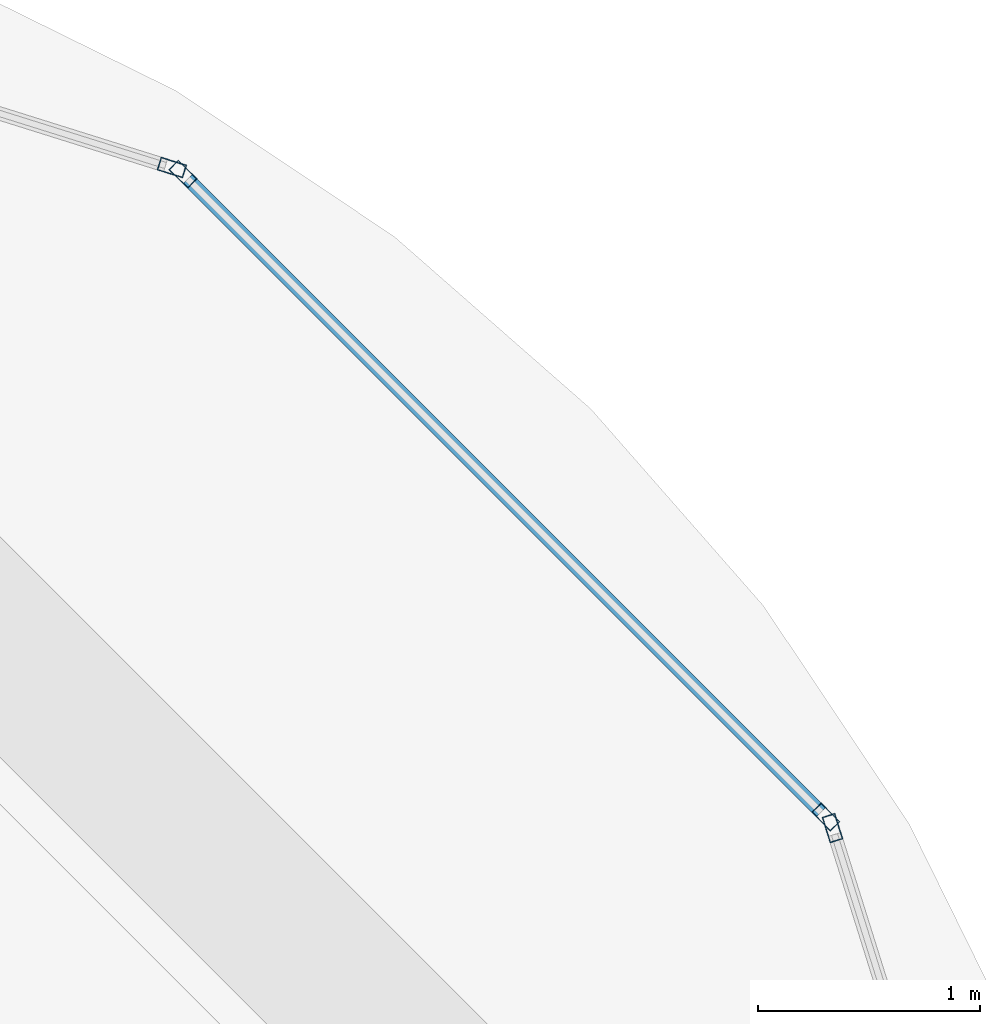
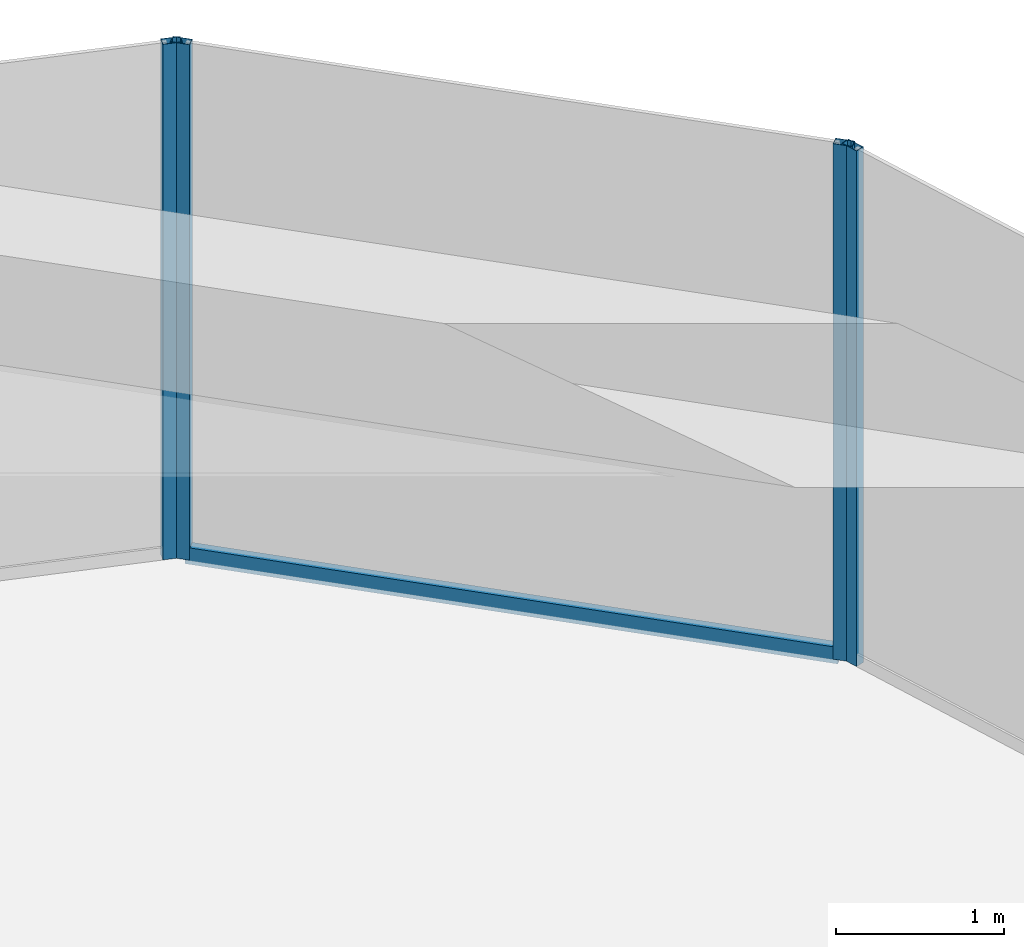
# One storey, part 39 of 44: 5 members, 3 elements without a shape of their own.
"""IFC4 building model written with IfcOpenShell, lengths in metres."""

from ifc_helpers import new_model, si_unit, direction, frame, origin, origin_2d, place, context, subcontext, project, spatial, hollow_rectangle, extrude, material, material_profile, profile_set, type_object, element, aggregate, save


model = new_model("IFC4")

# Units and contexts
model_context = context("Model", 3, precision=1e-05, world=origin(), true_north=direction((0.0, 1.0)))
body_context = subcontext(model_context, "Body", "Model", "MODEL_VIEW")
ifc_project = project(units=[si_unit("LENGTHUNIT", "METRE"), si_unit("AREAUNIT", "SQUARE_METRE"), si_unit("VOLUMEUNIT", "CUBIC_METRE"), si_unit("PLANEANGLEUNIT", "RADIAN"), si_unit("MASSUNIT", "GRAM", prefix="KILO")], contexts=[model_context])

# Site, building, storey
site_placement = place(None, origin())
site = spatial("IfcSite", under=ifc_project, at=site_placement, CompositionType="ELEMENT")
building_placement = place(site_placement, origin())
building = spatial("IfcBuilding", under=site, at=building_placement, Name="Zorevar Civic Tower", CompositionType="ELEMENT")
storey_placement = place(building_placement, frame((0.0, 0.0, 263.39990234375)))
storey = spatial("IfcBuildingStorey", under=building, at=storey_placement, Name="L64", CompositionType="ELEMENT", Elevation=263.39990234375)

# Curtain wall, member
ifc_material_1 = material(Name="Dark grey solar-control glass in black aluminium frame", Category="aluminium")
curtain_wall_type = type_object("IfcCurtainWallType", Name="Curtain wall CW5 top zone", PredefinedType="NOTDEFINED", material=ifc_material_1)
curtain_wall_1_placement = place(storey_placement, origin())
curtain_wall_1 = element("IfcCurtainWall", 1, at=curtain_wall_1_placement, inside=storey, type_object=curtain_wall_type, Name="CW5 L64", PredefinedType="NOTDEFINED")
ifc_material_2 = material(Name="Aluminium, black anodised", Category="aluminium")
ifc_material_profile_1 = material_profile(ifc_material_2, hollow_rectangle(XDim=0.06005859375, YDim=0.1201171875, WallThickness=0.0029296875, at=origin_2d()), Name="AL 120x60x3")
ifc_profile_set_1 = profile_set([ifc_material_profile_1], Name="Aluminium, black anodised")
member_type_1 = type_object("IfcMemberType", Name="CW5 mullion AL 120x60x3", PredefinedType="MULLION", material=ifc_profile_set_1)
member_1_placement = place(storey_placement, frame((52.449951171875, 40.479248046875, 0.0), z_axis=(0.0, 0.0, 1.0), x_axis=(-0.954153437674, -0.299317920238, 0.0)))
member_1 = element("IfcMember", 2, at=member_1_placement, type_object=member_type_1, Name="CW5 mullion 2", PredefinedType="MULLION", context=body_context, shape_type="SweptSolid", body=[
    extrude(hollow_rectangle(XDim=0.06005859375, YDim=0.1201171875, WallThickness=0.0029296875, at=origin_2d()), origin(), (0.0, 0.0, 1.0), 3.75),
])
aggregate(curtain_wall_1, [member_1])

# Curtain wall, members
curtain_wall_2_placement = place(storey_placement, origin())
curtain_wall_2 = element("IfcCurtainWall", 3, at=curtain_wall_2_placement, inside=storey, type_object=curtain_wall_type, Name="CW5 L64", PredefinedType="NOTDEFINED")
member_2_placement = place(storey_placement, frame((52.419677734375, 40.529052734375, 0.0), z_axis=(0.0, 0.0, 1.0), x_axis=(-0.707106781187, -0.707106781187, 0.0)))
member_2 = element("IfcMember", 4, at=member_2_placement, type_object=member_type_1, Name="CW5 mullion 1", PredefinedType="MULLION", context=body_context, shape_type="SweptSolid", body=[
    extrude(hollow_rectangle(XDim=0.06005859375, YDim=0.1201171875, WallThickness=0.0029296875, at=origin_2d()), origin(), (0.0, 0.0, 1.0), 3.75),
])
member_3_placement = place(storey_placement, frame((49.529052734375, 43.419677734375, 0.0), z_axis=(0.0, 0.0, 1.0), x_axis=(-0.707106781187, -0.707106781187, 0.0)))
member_3 = element("IfcMember", 5, at=member_3_placement, type_object=member_type_1, Name="CW5 mullion 2", PredefinedType="MULLION", context=body_context, shape_type="SweptSolid", body=[
    extrude(hollow_rectangle(XDim=0.06005859375, YDim=0.1201171875, WallThickness=0.0029296875, at=origin_2d()), origin(), (0.0, 0.0, 1.0), 3.75),
])

# Curtain wall, member
curtain_wall_3_placement = place(storey_placement, origin())
curtain_wall_3 = element("IfcCurtainWall", 6, at=curtain_wall_3_placement, inside=storey, type_object=curtain_wall_type, Name="CW5 L64", PredefinedType="NOTDEFINED")
member_4_placement = place(storey_placement, frame((49.479248046875, 43.449951171875, 0.0), z_axis=(0.0, 0.0, 1.0), x_axis=(-0.299317920238, -0.954153437674, 0.0)))
member_4 = element("IfcMember", 7, at=member_4_placement, type_object=member_type_1, Name="CW5 mullion 1", PredefinedType="MULLION", context=body_context, shape_type="SweptSolid", body=[
    extrude(hollow_rectangle(XDim=0.06005859375, YDim=0.1201171875, WallThickness=0.0029296875, at=origin_2d()), origin(), (0.0, 0.0, 1.0), 3.75),
])
aggregate(curtain_wall_3, [member_4])

# Member
ifc_material_3 = material(Name="Aluminium, black anodised", Category="aluminium")
ifc_material_profile_2 = material_profile(ifc_material_3, hollow_rectangle(XDim=0.06005859375, YDim=0.1201171875, WallThickness=0.0029296875, at=origin_2d()), Name="AL 120x60x3")
ifc_profile_set_2 = profile_set([ifc_material_profile_2], Name="Aluminium, black anodised")
member_type_2 = type_object("IfcMemberType", Name="CW5 transom AL 120x60x3", PredefinedType="USERDEFINED", material=ifc_profile_set_2)
member_5_placement = place(storey_placement, frame((52.3984375, 40.55029296875, 0.030029296875), z_axis=(-0.707106781187, 0.707106781187, 0.0), x_axis=(-0.707106781187, -0.707106781187, 0.0)))
member_5 = element("IfcMember", 8, at=member_5_placement, type_object=member_type_2, Name="CW5 sill transom", ObjectType="TRANSOM", PredefinedType="USERDEFINED", context=body_context, shape_type="SweptSolid", body=[
    extrude(hollow_rectangle(XDim=0.06005859375, YDim=0.1201171875, WallThickness=0.0029296875, at=origin_2d()), origin(), (0.0, 0.0, 1.0), 4.02783203125),
])

aggregate(curtain_wall_2, [member_2, member_3, member_5])

save(model, "model.ifc")
